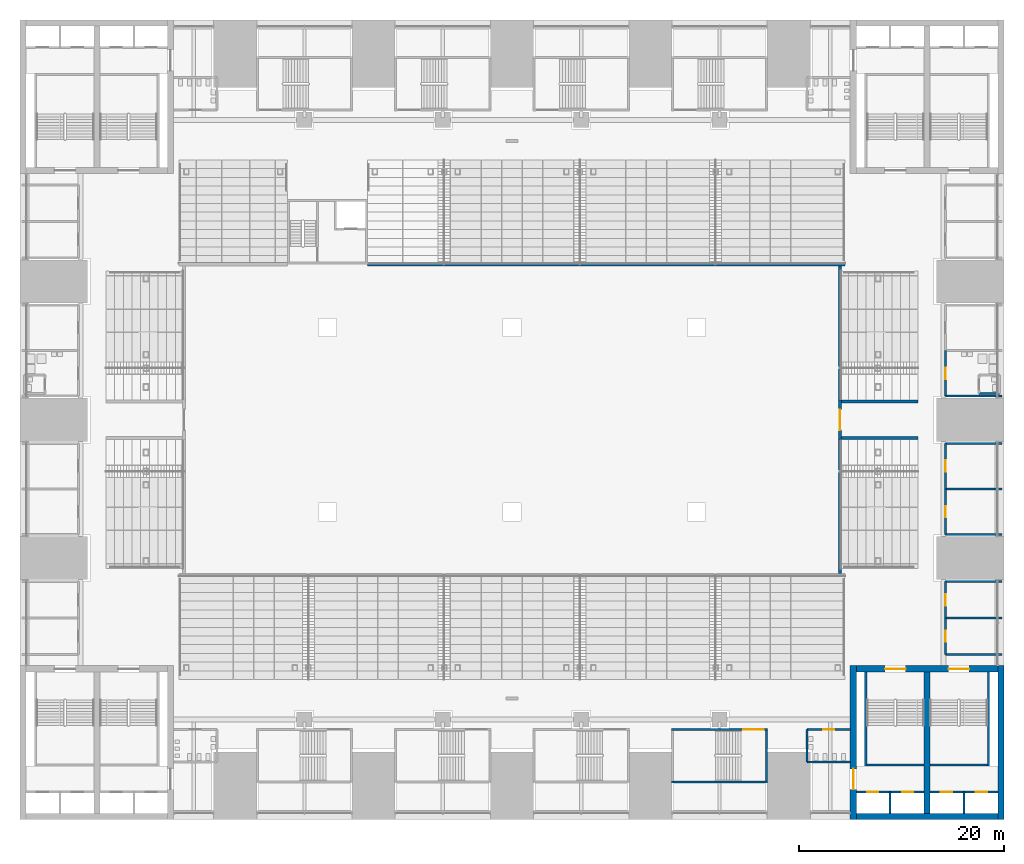
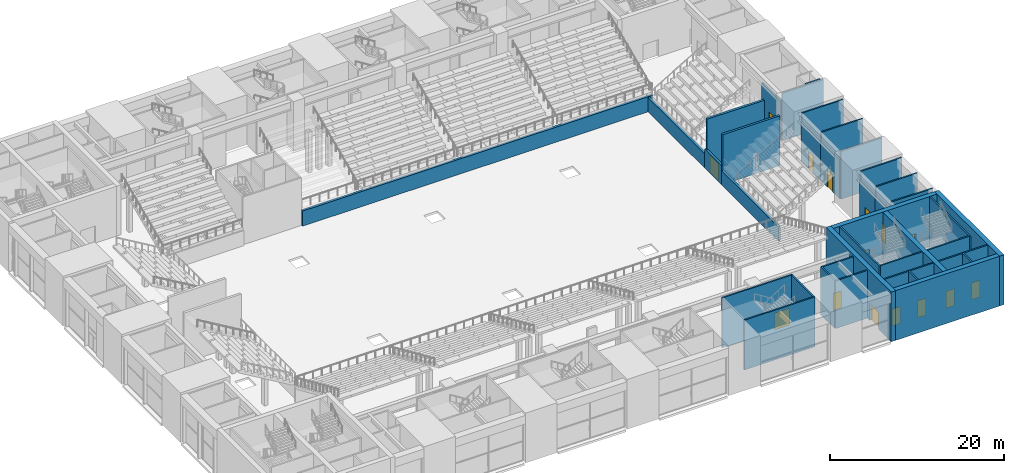
# One storey, part 37 of 62: 38 walls, 15 doors, 15 openings.
"""IFC4 building model written with IfcOpenShell, lengths in metres."""

import ifcopenshell
import ifcopenshell.guid

model = None  # the IFC model being written
_history = None  # IfcOwnerHistory: only IFC2X3 demands one
_inside = {}  # id of a spatial element -> (the spatial element, [elements in it])
_under = {}  # id of a project, library or spatial element -> (it, [spatial elements below it])
_declared = {}  # id of a project -> (the project, [libraries it declares])
_typed = {}  # id of a type object -> (the type object, [elements of that type])
_made_of = {}  # id of a material, layer set ... -> (it, [elements and type objects made of it])


def new_model(schema):
    """Start an empty IFC model of exactly this schema.

    Asked for "IFC4X3", IfcOpenShell would pick the latest addendum, in which some entities
    have other attributes; the version numbers below select the first issue.
    IFC2X3 requires an IfcOwnerHistory on every rooted entity: one is made here for all.
    """
    global model, _history
    if schema == "IFC4X3":
        model = ifcopenshell.file(schema_version=(4, 3, 0, 0))
    else:
        model = ifcopenshell.file(schema=schema)
    _inside.clear()
    _under.clear()
    _declared.clear()
    _typed.clear()
    _made_of.clear()
    _history = None
    if model.schema == "IFC2X3":
        org = make("IfcOrganization", Name="unknown")
        user = make(
            "IfcPersonAndOrganization",
            ThePerson=make("IfcPerson", FamilyName="unknown"),
            TheOrganization=org,
        )
        app = make(
            "IfcApplication",
            ApplicationDeveloper=org,
            Version="unknown",
            ApplicationFullName="unknown",
            ApplicationIdentifier="unknown",
        )
        _history = make(
            "IfcOwnerHistory",
            OwningUser=user,
            OwningApplication=app,
            ChangeAction="ADDED",
            CreationDate=0,
        )
    return model


def make(cls, **values):
    """One entity of the class cls with the attributes given. An attribute that is None is left unset."""
    return model.create_entity(
        cls, **{name: value for name, value in values.items() if value is not None}
    )


def rooted(cls, **values):
    """An entity with a GlobalId (a new one), such as an element, a storey or a relation."""
    return make(cls, GlobalId=ifcopenshell.guid.new(), OwnerHistory=_history, **values)


def si_unit(unit_type, name, prefix=None):
    """IfcSIUnit, for example si_unit("LENGTHUNIT", "METRE", prefix="MILLI")."""
    return make("IfcSIUnit", UnitType=unit_type, Prefix=prefix, Name=name)


def assignment(units):
    """IfcUnitAssignment: the units of a project."""
    return None if units is None else make("IfcUnitAssignment", Units=units)


def point(xyz):
    """IfcCartesianPoint."""
    return None if xyz is None else make("IfcCartesianPoint", Coordinates=xyz)


def direction(xyz):
    """IfcDirection."""
    return None if xyz is None else make("IfcDirection", DirectionRatios=xyz)


def frame(location, z_axis=None, x_axis=None):
    """IfcAxis2Placement3D, a coordinate frame: its origin and axes. An axis left out is left unset."""
    return make(
        "IfcAxis2Placement3D",
        Location=point(location),
        Axis=direction(z_axis),
        RefDirection=direction(x_axis),
    )


def frame_2d(location, x_axis=None):
    """IfcAxis2Placement2D, a coordinate frame in the plane: its origin and x axis."""
    return make(
        "IfcAxis2Placement2D", Location=point(location), RefDirection=direction(x_axis)
    )


def origin():
    """The frame at (0, 0, 0) with its axes left unset."""
    return frame((0.0, 0.0, 0.0))


def place(relative_to, where):
    """IfcLocalPlacement: puts the frame where relative to a parent placement (None: the world)."""
    return make(
        "IfcLocalPlacement", PlacementRelTo=relative_to, RelativePlacement=where
    )


def context(
    kind, dimensions, precision=None, world=None, true_north=None, identifier=None
):
    """IfcGeometricRepresentationContext, for example the 3D "Model" context."""
    return make(
        "IfcGeometricRepresentationContext",
        ContextIdentifier=identifier,
        ContextType=kind,
        CoordinateSpaceDimension=dimensions,
        Precision=precision,
        WorldCoordinateSystem=world,
        TrueNorth=true_north,
    )


def subcontext(parent, identifier, kind, view, scale=None):
    """IfcGeometricRepresentationSubContext, for example "Body" below "Model"."""
    return make(
        "IfcGeometricRepresentationSubContext",
        ContextIdentifier=identifier,
        ContextType=kind,
        ParentContext=parent,
        TargetScale=scale,
        TargetView=view,
    )


def project(units=None, contexts=None):
    """IfcProject with its units and contexts."""
    return rooted(
        "IfcProject",
        Name="project",
        RepresentationContexts=contexts,
        UnitsInContext=assignment(units),
    )


def spatial(cls, under=None, at=None, **own):
    """A site, building, storey or space (cls), placed at a placement, below another one or the project."""
    s = rooted(cls, ObjectPlacement=at, **own)
    if under is not None:
        _under.setdefault(under.id(), (under, []))[1].append(s)
    return s


def profile(cls, at=None, kind="AREA", **sizes):
    """A parametric profile (cls). Its sizes go by their IFC names, for example OverallWidth=200.0."""
    return make(cls, ProfileType=kind, Position=at, **sizes)


def rectangle(**sizes):
    """IfcRectangleProfileDef."""
    return profile("IfcRectangleProfileDef", **sizes)


def extrude(swept, where, along, depth):
    """IfcExtrudedAreaSolid: the profile swept, set in the frame where, extruded along a direction by depth."""
    return make(
        "IfcExtrudedAreaSolid",
        SweptArea=swept,
        Position=where,
        ExtrudedDirection=direction(along),
        Depth=depth,
    )


def shape(context_of_items, identifier, shape_type, items):
    """IfcShapeRepresentation: the items that make up one representation, for example the "Body"."""
    return make(
        "IfcShapeRepresentation",
        ContextOfItems=context_of_items,
        RepresentationIdentifier=identifier,
        RepresentationType=shape_type,
        Items=items,
    )


def material(Name=None, Category=None):
    """IfcMaterial."""
    return make("IfcMaterial", Name=Name, Category=Category)


def layer(
    of_material, thickness, ventilated=None, Name=None, Category=None, Priority=None
):
    """IfcMaterialLayer: one layer of a wall or slab, of a material (None: an air gap)."""
    return make(
        "IfcMaterialLayer",
        Material=of_material,
        LayerThickness=thickness,
        IsVentilated=ventilated,
        Name=Name,
        Category=Category,
        Priority=Priority,
    )


def layer_set(layers, Name=None):
    """IfcMaterialLayerSet."""
    return make("IfcMaterialLayerSet", MaterialLayers=layers, LayerSetName=Name)


def made_of(thing, what):
    """Note that an element or type object is made of a material, layer set ...; save() writes the relation."""
    if what is not None:
        _made_of.setdefault(what.id(), (what, []))[1].append(thing)
    return thing


def type_object(cls, material=None, **own):
    """A type object (cls), such as IfcWallType, which elements share."""
    return made_of(rooted(cls, **own), material)


def element(
    cls,
    number,
    at=None,
    inside=None,
    cuts=None,
    type_object=None,
    material=None,
    context=None,
    identifier="Body",
    shape_type=None,
    held_by="IfcProductDefinitionShape",
    body=None,
    shapes=None,
    **own,
):
    """One element of the class cls, such as IfcWall. Its Tag is "e" and its number.

    at: its placement. inside: the storey or other place that contains it. cuts: it is an
    opening in that element (IfcRelVoidsElement). A single representation is given by context,
    identifier, shape_type and body (its items); several are given by shapes. held_by: the class
    of the entity that holds the representations. save() writes the other relations.
    """
    e = rooted(cls, Tag="e%d" % number, ObjectPlacement=at, **own)
    if body is not None:
        shapes = [shape(context, identifier, shape_type, body)]
    if shapes is not None:
        e.Representation = make(held_by, Representations=shapes)
    if inside is not None:
        _inside.setdefault(inside.id(), (inside, []))[1].append(e)
    if cuts is not None:
        rooted(
            "IfcRelVoidsElement", RelatingBuildingElement=cuts, RelatedOpeningElement=e
        )
    if type_object is not None:
        _typed.setdefault(type_object.id(), (type_object, []))[1].append(e)
    return made_of(e, material)


def fill(opening, filler):
    """IfcRelFillsElement: the door or window that sits in an opening."""
    return rooted(
        "IfcRelFillsElement",
        RelatingOpeningElement=opening,
        RelatedBuildingElement=filler,
    )


def aggregate(whole, parts):
    """IfcRelAggregates: a whole, such as a stair, and the parts it consists of."""
    return rooted("IfcRelAggregates", RelatingObject=whole, RelatedObjects=parts)


def save(model, path):
    """Write the relations noted so far, then the file.

    IfcRelAggregates (storeys below a building ...), IfcRelContainedInSpatialStructure (elements
    in a storey), IfcRelDefinesByType, IfcRelAssociatesMaterial and IfcRelDeclares: one each for
    every whole, place, type object, material and project.
    """
    for whole, parts in _under.values():
        aggregate(whole, parts)
    for where, things in _inside.values():
        rooted(
            "IfcRelContainedInSpatialStructure",
            RelatedElements=things,
            RelatingStructure=where,
        )
    for kind, things in _typed.values():
        rooted("IfcRelDefinesByType", RelatedObjects=things, RelatingType=kind)
    for what, things in _made_of.values():
        rooted("IfcRelAssociatesMaterial", RelatedObjects=things, RelatingMaterial=what)
    for by, libraries in _declared.values():
        rooted("IfcRelDeclares", RelatingContext=by, RelatedDefinitions=libraries)
    model.write(path)


model = new_model("IFC4")

# Units and contexts
model_context = context("Model", 3, precision=1e-05, world=origin(), true_north=direction((0.0, 1.0)))
body_context = subcontext(model_context, "Body", "Model", "MODEL_VIEW")
ifc_project = project(units=[si_unit("LENGTHUNIT", "METRE"), si_unit("AREAUNIT", "SQUARE_METRE"), si_unit("VOLUMEUNIT", "CUBIC_METRE"), si_unit("PLANEANGLEUNIT", "RADIAN"), si_unit("MASSUNIT", "GRAM", prefix="KILO")], contexts=[model_context])

# Site, building, storey
site_placement = place(None, origin())
site = spatial("IfcSite", under=ifc_project, at=site_placement, CompositionType="ELEMENT")
building_placement = place(site_placement, origin())
building = spatial("IfcBuilding", under=site, at=building_placement, Name="Corbelhall Arena Tower", CompositionType="ELEMENT")
storey_placement = place(building_placement, frame((0.0, 0.0, 12.0)))
storey = spatial("IfcBuildingStorey", under=building, at=storey_placement, Name="L01", CompositionType="ELEMENT", Elevation=12.0)

# Walls
ifc_material_1 = material(Name="Reinforced concrete C40/50", Category="concrete")
ifc_layer_1 = layer(ifc_material_1, 0.300048828125)
ifc_layer_set_1 = layer_set([ifc_layer_1], Name="AR-FRONT-WALL")
wall_type_1 = type_object("IfcWallType", Name="AR-FRONT-WALL", PredefinedType="SOLIDWALL", material=ifc_layer_set_1)
wall_1_placement = place(storey_placement, frame((-14.10009765625, 15.14990234375, 0.0), z_axis=(0.0, 0.0, 1.0), x_axis=(1.0, 0.0, 0.0)))
element("IfcWall", 1, at=wall_1_placement, inside=storey, type_object=wall_type_1, Name="Tier front wall LN", PredefinedType="SOLIDWALL", context=body_context, shape_type="SweptSolid", body=[
    extrude(rectangle(XDim=46.60009765625, YDim=0.300048828125, at=frame_2d((23.300048828125, 0.0))), origin(), (0.0, 0.0, 1.0), 2.125),
])
for number, where, z_axis, x_axis, name in (
    (2, (32.0, -15.0, 0.0), (0.0, 0.0, 1.0), (0.0, 1.0, 0.0), "Tier front wall LE"),
    (3, (32.0, 1.949951171875, 0.0), (0.0, 0.0, 1.0), (0.0, 1.0, 0.0), "Tier front wall LE"),
):
    element("IfcWall", number, at=place(storey_placement, frame(where, z_axis=z_axis, x_axis=x_axis)), inside=storey, type_object=wall_type_1, Name=name, PredefinedType="SOLIDWALL", context=body_context, shape_type="SweptSolid", body=[
        extrude(rectangle(XDim=13.050048828125, YDim=0.300048828125, at=frame_2d((6.52490234375, 0.0))), origin(), (0.0, 0.0, 1.0), 2.0),
    ])
for number, where, z_axis, x_axis, name in (
    (4, (32.0, -1.800048828125, 0.0), (0.0, 0.0, 1.0), (1.0, 0.0, 0.0), "Players' tunnel wall LE"),
    (5, (32.0, 1.800048828125, 0.0), (0.0, 0.0, 1.0), (1.0, 0.0, 0.0), "Players' tunnel wall LE"),
):
    element("IfcWall", number, at=place(storey_placement, frame(where, z_axis=z_axis, x_axis=x_axis)), inside=storey, type_object=wall_type_1, Name=name, PredefinedType="SOLIDWALL", context=body_context, shape_type="SweptSolid", body=[
        extrude(rectangle(XDim=7.60498046875, YDim=0.300048828125, at=frame_2d((3.802490234375, 0.0))), origin(), (0.0, 0.0, 1.0), 7.0),
    ])
ifc_material_2 = material(Name="Gypsum board on steel studs", Category="steel")
ifc_layer_2 = layer(ifc_material_2, 0.199951171875)
ifc_layer_set_2 = layer_set([ifc_layer_2], Name="AR-ROOM-WALL")
wall_type_2 = type_object("IfcWallType", Name="AR-ROOM-WALL", PredefinedType="PARTITIONING", material=ifc_layer_set_2)
wall_2_placement = place(storey_placement, frame((42.300048828125, 2.300048828125, 0.0), z_axis=(0.0, 0.0, 1.0), x_axis=(1.0, 0.0, 0.0)))
element("IfcWall", 6, at=wall_2_placement, inside=storey, type_object=wall_type_2, Name="Team locker room 1 end wall", PredefinedType="PARTITIONING", context=body_context, shape_type="SweptSolid", body=[
    extrude(rectangle(XDim=5.5, YDim=0.199951171875, at=frame_2d((2.75, 0.0))), origin(), (0.0, 0.0, 1.0), 6.699951171875),
])
wall_3_placement = place(storey_placement, frame((45.550048828125, 2.550048828125, 0.0), z_axis=(0.0, 0.0, 1.0), x_axis=(1.0, 0.0, 0.0)))
element("IfcWall", 7, at=wall_3_placement, inside=storey, type_object=wall_type_2, Name="Team WC 1 wall", PredefinedType="PARTITIONING", context=body_context, shape_type="SweptSolid", body=[
    extrude(rectangle(XDim=2.0, YDim=0.199951171875, at=frame_2d((1.0, 0.0))), origin(), (0.0, 0.0, 1.0), 6.699951171875),
])
for number, where, z_axis, x_axis, name in (
    (8, (42.300048828125, -11.199951171875, 0.0), (0.0, 0.0, 1.0), (1.0, 0.0, 0.0), "Medical and first-aid room 1 end wall"),
    (9, (42.300048828125, -6.75, 0.0), (0.0, 0.0, 1.0), (1.0, 0.0, 0.0), "Medical and first-aid room 1 partition"),
    (10, (42.300048828125, -2.300048828125, 0.0), (0.0, 0.0, 1.0), (1.0, 0.0, 0.0), "Equipment store 1 end wall"),
    (11, (42.300048828125, -22.89990234375, 0.0), (0.0, 0.0, 1.0), (1.0, 0.0, 0.0), "Media interview room 1 end wall"),
    (12, (42.300048828125, -19.35009765625, 0.0), (0.0, 0.0, 1.0), (1.0, 0.0, 0.0), "Media interview room 1 partition"),
    (13, (42.300048828125, -15.800048828125, 0.0), (0.0, 0.0, 1.0), (1.0, 0.0, 0.0), "Catering preparation kitchen 1 end wall"),
):
    element("IfcWall", number, at=place(storey_placement, frame(where, z_axis=z_axis, x_axis=x_axis)), inside=storey, type_object=wall_type_2, Name=name, PredefinedType="PARTITIONING", context=body_context, shape_type="SweptSolid", body=[
        extrude(rectangle(XDim=5.5, YDim=0.199951171875, at=frame_2d((2.75, 0.0))), origin(), (0.0, 0.0, 1.0), 6.699951171875),
    ])

# Wall, opening, door
wall_4_placement = place(storey_placement, frame((28.800048828125, -30.199951171875, 0.0), z_axis=(0.0, 0.0, 1.0), x_axis=(1.0, 0.0, 0.0)))
wall_4 = element("IfcWall", 14, at=wall_4_placement, inside=storey, type_object=wall_type_2, Name="Women's WC 3 wall", PredefinedType="PARTITIONING", context=body_context, shape_type="SweptSolid", body=[
    extrude(rectangle(XDim=4.199951171875, YDim=0.199951171875, at=frame_2d((2.10009765625, 0.0))), origin(), (0.0, 0.0, 1.0), 6.699951171875),
])
opening_1_placement = place(wall_4_placement, frame((1.550048828125, 0.0, 0.0)))
opening_1 = element("IfcOpeningElement", 15, at=opening_1_placement, cuts=wall_4, Name="Opening DA0361", PredefinedType="OPENING", context=body_context, shape_type="SweptSolid", body=[
    extrude(rectangle(XDim=1.10009765625, YDim=2.39990234375, at=frame_2d((0.550048828125, 1.199951171875))), frame((0.0, 0.10009765625, 0.0), z_axis=(0.0, -1.0, 0.0), x_axis=(1.0, 0.0, 0.0)), (0.0, 0.0, 1.0), 0.199951171875),
])
ifc_material_3 = material(Name="Timber", Category="wood")
door_type_1 = type_object("IfcDoorType", Name="AR-ROOM-DOOR", OperationType="DOUBLE_DOOR_SINGLE_SWING", PredefinedType="DOOR", material=ifc_material_3)
door_1_placement = place(opening_1_placement, origin())
door_1 = element("IfcDoor", 16, at=door_1_placement, inside=storey, type_object=door_type_1, Name="Women's WC 3 door", OperationType="DOUBLE_DOOR_SINGLE_SWING", OverallHeight=2.39990234375, OverallWidth=1.10009765625, PredefinedType="DOOR", context=body_context, shape_type="SweptSolid", body=[
    extrude(rectangle(XDim=1.10009765625, YDim=2.39990234375, at=frame_2d((0.550048828125, 1.199951171875))), frame((0.0, 0.02490234375, 0.0), z_axis=(0.0, -1.0, 0.0), x_axis=(1.0, 0.0, 0.0)), (0.0, 0.0, 1.0), 0.050048828125),
])
fill(opening_1, door_1)

# Walls
wall_5_placement = place(storey_placement, frame((28.800048828125, -33.39990234375, 0.0), z_axis=(0.0, 0.0, 1.0), x_axis=(0.0, 1.0, 0.0)))
element("IfcWall", 17, at=wall_5_placement, inside=storey, type_object=wall_type_2, Name="Women's WC 3 side wall", PredefinedType="PARTITIONING", context=body_context, shape_type="SweptSolid", body=[
    extrude(rectangle(XDim=3.199951171875, YDim=0.199951171875, at=frame_2d((1.60009765625, 0.0))), origin(), (0.0, 0.0, 1.0), 6.699951171875),
])
wall_6_placement = place(storey_placement, frame((28.800048828125, -33.39990234375, 0.0), z_axis=(0.0, 0.0, 1.0), x_axis=(1.0, 0.0, 0.0)))
element("IfcWall", 18, at=wall_6_placement, inside=storey, type_object=wall_type_2, Name="Women's WC 3 far wall", PredefinedType="PARTITIONING", context=body_context, shape_type="SweptSolid", body=[
    extrude(rectangle(XDim=4.199951171875, YDim=0.199951171875, at=frame_2d((2.10009765625, 0.0))), origin(), (0.0, 0.0, 1.0), 6.699951171875),
])

# Wall, opening, door
wall_7_placement = place(storey_placement, frame((32.0, -1.949951171875, 0.0), z_axis=(0.0, 0.0, 1.0), x_axis=(0.0, 1.0, 0.0)))
wall_7 = element("IfcWall", 19, at=wall_7_placement, inside=storey, type_object=wall_type_2, Name="Players' tunnel gate wall", PredefinedType="PARTITIONING", context=body_context, shape_type="SweptSolid", body=[
    extrude(rectangle(XDim=3.89990234375, YDim=0.300048828125, at=frame_2d((1.949951171875, 0.0))), origin(), (0.0, 0.0, 1.0), 2.699951171875),
])
opening_2_placement = place(wall_7_placement, frame((0.949951171875, 0.0, 0.0)))
opening_2 = element("IfcOpeningElement", 20, at=opening_2_placement, cuts=wall_7, Name="Opening DA0483", PredefinedType="OPENING", context=body_context, shape_type="SweptSolid", body=[
    extrude(rectangle(XDim=2.0, YDim=2.39990234375, at=frame_2d((1.0, 1.199951171875))), frame((0.0, 0.14990234375, 0.0), z_axis=(0.0, -1.0, 0.0), x_axis=(1.0, 0.0, 0.0)), (0.0, 0.0, 1.0), 0.300048828125),
])
ifc_material_4 = material(Name="Steel and glass", Category="steel")
door_type_2 = type_object("IfcDoorType", Name="AR-EXIT-DOOR", OperationType="DOUBLE_DOOR_SINGLE_SWING", PredefinedType="DOOR", material=ifc_material_4)
door_2_placement = place(opening_2_placement, frame((2.0, 0.0, 0.0), z_axis=(0.0, 0.0, 1.0), x_axis=(-1.0, 0.0, 0.0)))
door_2 = element("IfcDoor", 21, at=door_2_placement, inside=storey, type_object=door_type_2, Name="Event floor gate", OperationType="DOUBLE_DOOR_SINGLE_SWING", OverallHeight=2.39990234375, OverallWidth=2.0, PredefinedType="DOOR", context=body_context, shape_type="SweptSolid", body=[
    extrude(rectangle(XDim=2.0, YDim=2.39990234375, at=frame_2d((1.0, 1.199951171875))), frame((0.0, 0.02490234375, 0.0), z_axis=(0.0, -1.0, 0.0), x_axis=(1.0, 0.0, 0.0)), (0.0, 0.0, 1.0), 0.050048828125),
])
fill(opening_2, door_2)

ifc_layer_3 = layer(ifc_material_2, 0.199951171875)
ifc_layer_set_3 = layer_set([ifc_layer_3], Name="AR-ROOM-WALL under beam 1200 mm")
wall_type_3 = type_object("IfcWallType", Name="AR-ROOM-WALL under beam 1200 mm", PredefinedType="PARTITIONING", material=ifc_layer_set_3)
wall_8_placement = place(storey_placement, frame((42.300048828125, 2.300048828125, 0.0), z_axis=(0.0, 0.0, 1.0), x_axis=(0.0, 1.0, 0.0)))
wall_8 = element("IfcWall", 22, at=wall_8_placement, inside=storey, type_object=wall_type_3, Name="Team locker room 1 wall", PredefinedType="PARTITIONING", context=body_context, shape_type="SweptSolid", body=[
    extrude(rectangle(XDim=4.449951171875, YDim=0.199951171875, at=frame_2d((2.22509765625, 0.0))), origin(), (0.0, 0.0, 1.0), 5.5),
])
opening_3_placement = place(wall_8_placement, frame((1.675048828125, 0.0, 0.0)))
opening_3 = element("IfcOpeningElement", 23, at=opening_3_placement, cuts=wall_8, Name="Opening DA0341", PredefinedType="OPENING", context=body_context, shape_type="SweptSolid", body=[
    extrude(rectangle(XDim=1.10009765625, YDim=2.39990234375, at=frame_2d((0.550048828125, 1.199951171875))), frame((0.0, 0.10009765625, 0.0), z_axis=(0.0, -1.0, 0.0), x_axis=(1.0, 0.0, 0.0)), (0.0, 0.0, 1.0), 0.199951171875),
])
door_3_placement = place(opening_3_placement, origin())
door_3 = element("IfcDoor", 24, at=door_3_placement, inside=storey, type_object=door_type_1, Name="Team locker room 1 door", OperationType="DOUBLE_DOOR_SINGLE_SWING", OverallHeight=2.39990234375, OverallWidth=1.10009765625, PredefinedType="DOOR", context=body_context, shape_type="SweptSolid", body=[
    extrude(rectangle(XDim=1.10009765625, YDim=2.39990234375, at=frame_2d((0.550048828125, 1.199951171875))), frame((0.0, 0.02490234375, 0.0), z_axis=(0.0, -1.0, 0.0), x_axis=(1.0, 0.0, 0.0)), (0.0, 0.0, 1.0), 0.050048828125),
])
fill(opening_3, door_3)

wall_9_placement = place(storey_placement, frame((42.300048828125, -11.199951171875, 0.0), z_axis=(0.0, 0.0, 1.0), x_axis=(0.0, 1.0, 0.0)))
wall_9 = element("IfcWall", 25, at=wall_9_placement, inside=storey, type_object=wall_type_3, Name="Medical and first-aid room 1 wall", PredefinedType="PARTITIONING", context=body_context, shape_type="SweptSolid", body=[
    extrude(rectangle(XDim=4.449951171875, YDim=0.199951171875, at=frame_2d((2.22509765625, 0.0))), origin(), (0.0, 0.0, 1.0), 5.5),
])
opening_4_placement = place(wall_9_placement, frame((1.675048828125, 0.0, 0.0)))
opening_4 = element("IfcOpeningElement", 26, at=opening_4_placement, cuts=wall_9, Name="Opening DA0344", PredefinedType="OPENING", context=body_context, shape_type="SweptSolid", body=[
    extrude(rectangle(XDim=1.10009765625, YDim=2.39990234375, at=frame_2d((0.550048828125, 1.199951171875))), frame((0.0, 0.10009765625, 0.0), z_axis=(0.0, -1.0, 0.0), x_axis=(1.0, 0.0, 0.0)), (0.0, 0.0, 1.0), 0.199951171875),
])
door_4_placement = place(opening_4_placement, origin())
door_4 = element("IfcDoor", 27, at=door_4_placement, inside=storey, type_object=door_type_1, Name="Medical and first-aid room 1 door", OperationType="DOUBLE_DOOR_SINGLE_SWING", OverallHeight=2.39990234375, OverallWidth=1.10009765625, PredefinedType="DOOR", context=body_context, shape_type="SweptSolid", body=[
    extrude(rectangle(XDim=1.10009765625, YDim=2.39990234375, at=frame_2d((0.550048828125, 1.199951171875))), frame((0.0, 0.02490234375, 0.0), z_axis=(0.0, -1.0, 0.0), x_axis=(1.0, 0.0, 0.0)), (0.0, 0.0, 1.0), 0.050048828125),
])
fill(opening_4, door_4)

wall_10_placement = place(storey_placement, frame((42.300048828125, -6.75, 0.0), z_axis=(0.0, 0.0, 1.0), x_axis=(0.0, 1.0, 0.0)))
wall_10 = element("IfcWall", 28, at=wall_10_placement, inside=storey, type_object=wall_type_3, Name="Equipment store 1 wall", PredefinedType="PARTITIONING", context=body_context, shape_type="SweptSolid", body=[
    extrude(rectangle(XDim=4.449951171875, YDim=0.199951171875, at=frame_2d((2.22509765625, 0.0))), origin(), (0.0, 0.0, 1.0), 5.5),
])
opening_5_placement = place(wall_10_placement, frame((1.675048828125, 0.0, 0.0)))
opening_5 = element("IfcOpeningElement", 29, at=opening_5_placement, cuts=wall_10, Name="Opening DA0345", PredefinedType="OPENING", context=body_context, shape_type="SweptSolid", body=[
    extrude(rectangle(XDim=1.10009765625, YDim=2.39990234375, at=frame_2d((0.550048828125, 1.199951171875))), frame((0.0, 0.10009765625, 0.0), z_axis=(0.0, -1.0, 0.0), x_axis=(1.0, 0.0, 0.0)), (0.0, 0.0, 1.0), 0.199951171875),
])
door_5_placement = place(opening_5_placement, origin())
door_5 = element("IfcDoor", 30, at=door_5_placement, inside=storey, type_object=door_type_1, Name="Equipment store 1 door", OperationType="DOUBLE_DOOR_SINGLE_SWING", OverallHeight=2.39990234375, OverallWidth=1.10009765625, PredefinedType="DOOR", context=body_context, shape_type="SweptSolid", body=[
    extrude(rectangle(XDim=1.10009765625, YDim=2.39990234375, at=frame_2d((0.550048828125, 1.199951171875))), frame((0.0, 0.02490234375, 0.0), z_axis=(0.0, -1.0, 0.0), x_axis=(1.0, 0.0, 0.0)), (0.0, 0.0, 1.0), 0.050048828125),
])
fill(opening_5, door_5)

wall_11_placement = place(storey_placement, frame((42.300048828125, -22.89990234375, 0.0), z_axis=(0.0, 0.0, 1.0), x_axis=(0.0, 1.0, 0.0)))
wall_11 = element("IfcWall", 31, at=wall_11_placement, inside=storey, type_object=wall_type_3, Name="Media interview room 1 wall", PredefinedType="PARTITIONING", context=body_context, shape_type="SweptSolid", body=[
    extrude(rectangle(XDim=3.5498046875, YDim=0.199951171875, at=frame_2d((1.77490234375, 0.0))), origin(), (0.0, 0.0, 1.0), 5.5),
])
opening_6_placement = place(wall_11_placement, frame((1.22509765625, 0.0, 0.0)))
opening_6 = element("IfcOpeningElement", 32, at=opening_6_placement, cuts=wall_11, Name="Opening DA0348", PredefinedType="OPENING", context=body_context, shape_type="SweptSolid", body=[
    extrude(rectangle(XDim=1.10009765625, YDim=2.39990234375, at=frame_2d((0.550048828125, 1.199951171875))), frame((0.0, 0.10009765625, 0.0), z_axis=(0.0, -1.0, 0.0), x_axis=(1.0, 0.0, 0.0)), (0.0, 0.0, 1.0), 0.199951171875),
])
door_6_placement = place(opening_6_placement, origin())
door_6 = element("IfcDoor", 33, at=door_6_placement, inside=storey, type_object=door_type_1, Name="Media interview room 1 door", OperationType="DOUBLE_DOOR_SINGLE_SWING", OverallHeight=2.39990234375, OverallWidth=1.10009765625, PredefinedType="DOOR", context=body_context, shape_type="SweptSolid", body=[
    extrude(rectangle(XDim=1.10009765625, YDim=2.39990234375, at=frame_2d((0.550048828125, 1.199951171875))), frame((0.0, 0.02490234375, 0.0), z_axis=(0.0, -1.0, 0.0), x_axis=(1.0, 0.0, 0.0)), (0.0, 0.0, 1.0), 0.050048828125),
])
fill(opening_6, door_6)

wall_12_placement = place(storey_placement, frame((42.300048828125, -19.35009765625, 0.0), z_axis=(0.0, 0.0, 1.0), x_axis=(0.0, 1.0, 0.0)))
wall_12 = element("IfcWall", 34, at=wall_12_placement, inside=storey, type_object=wall_type_3, Name="Catering preparation kitchen 1 wall", PredefinedType="PARTITIONING", context=body_context, shape_type="SweptSolid", body=[
    extrude(rectangle(XDim=3.550048828125, YDim=0.199951171875, at=frame_2d((1.77490234375, 0.0))), origin(), (0.0, 0.0, 1.0), 5.5),
])
opening_7_placement = place(wall_12_placement, frame((1.22509765625, 0.0, 0.0)))
opening_7 = element("IfcOpeningElement", 35, at=opening_7_placement, cuts=wall_12, Name="Opening DA0349", PredefinedType="OPENING", context=body_context, shape_type="SweptSolid", body=[
    extrude(rectangle(XDim=1.10009765625, YDim=2.39990234375, at=frame_2d((0.550048828125, 1.199951171875))), frame((0.0, 0.10009765625, 0.0), z_axis=(0.0, -1.0, 0.0), x_axis=(1.0, 0.0, 0.0)), (0.0, 0.0, 1.0), 0.199951171875),
])
door_7_placement = place(opening_7_placement, origin())
door_7 = element("IfcDoor", 36, at=door_7_placement, inside=storey, type_object=door_type_1, Name="Catering preparation kitchen 1 door", OperationType="DOUBLE_DOOR_SINGLE_SWING", OverallHeight=2.39990234375, OverallWidth=1.10009765625, PredefinedType="DOOR", context=body_context, shape_type="SweptSolid", body=[
    extrude(rectangle(XDim=1.10009765625, YDim=2.39990234375, at=frame_2d((0.550048828125, 1.199951171875))), frame((0.0, 0.02490234375, 0.0), z_axis=(0.0, -1.0, 0.0), x_axis=(1.0, 0.0, 0.0)), (0.0, 0.0, 1.0), 0.050048828125),
])
fill(opening_7, door_7)

# Wall, openings, doors
ifc_layer_4 = layer(ifc_material_1, 0.199951171875)
ifc_layer_set_4 = layer_set([ifc_layer_4], Name="AR-SHAFT-WALL")
wall_type_4 = type_object("IfcWallType", Name="AR-SHAFT-WALL", PredefinedType="SHEAR", material=ifc_layer_set_4)
wall_13_placement = place(storey_placement, frame((33.60009765625, -36.300048828125, 0.0), z_axis=(0.0, 0.0, 1.0), x_axis=(1.0, 0.0, 0.0)))
wall_13 = element("IfcWall", 37, at=wall_13_placement, inside=storey, type_object=wall_type_4, Name="Lift lobby wall SE", PredefinedType="SHEAR", context=body_context, shape_type="SweptSolid", body=[
    extrude(rectangle(XDim=6.599853515625, YDim=0.199951171875, at=frame_2d((3.2998046875, 0.0))), origin(), (0.0, 0.0, 1.0), 7.0),
])
opening_8_placement = place(wall_13_placement, frame((1.050048828125, 0.0, 0.0)))
opening_8 = element("IfcOpeningElement", 38, at=opening_8_placement, cuts=wall_13, Name="Opening LD0210", PredefinedType="OPENING", context=body_context, shape_type="SweptSolid", body=[
    extrude(rectangle(XDim=1.10009765625, YDim=2.39990234375, at=frame_2d((0.550048828125, 1.199951171875))), frame((0.0, 0.10009765625, 0.0), z_axis=(0.0, -1.0, 0.0), x_axis=(1.0, 0.0, 0.0)), (0.0, 0.0, 1.0), 0.199951171875),
])
opening_9_placement = place(wall_13_placement, frame((4.449951171875, 0.0, 0.0)))
opening_9 = element("IfcOpeningElement", 39, at=opening_9_placement, cuts=wall_13, Name="Opening LD0211", PredefinedType="OPENING", context=body_context, shape_type="SweptSolid", body=[
    extrude(rectangle(XDim=1.10009765625, YDim=2.39990234375, at=frame_2d((0.550048828125, 1.199951171875))), frame((0.0, 0.10009765625, 0.0), z_axis=(0.0, -1.0, 0.0), x_axis=(1.0, 0.0, 0.0)), (0.0, 0.0, 1.0), 0.199951171875),
])
ifc_material_5 = material(Name="Stainless steel A4", Category="steel")
door_type_3 = type_object("IfcDoorType", Name="AR-LANDING-DOOR", OperationType="DOUBLE_DOOR_SLIDING", PredefinedType="DOOR", material=ifc_material_5)
door_8_placement = place(opening_8_placement, frame((1.10009765625, 0.0, 0.0), z_axis=(0.0, 0.0, 1.0), x_axis=(-1.0, 0.0, 0.0)))
door_8 = element("IfcDoor", 40, at=door_8_placement, inside=storey, type_object=door_type_3, Name="Landing door SE LF1 L01", OperationType="DOUBLE_DOOR_SLIDING", OverallHeight=2.39990234375, OverallWidth=1.10009765625, PredefinedType="DOOR", context=body_context, shape_type="SweptSolid", body=[
    extrude(rectangle(XDim=1.10009765625, YDim=2.39990234375, at=frame_2d((0.550048828125, 1.199951171875))), frame((0.0, 0.02490234375, 0.0), z_axis=(0.0, -1.0, 0.0), x_axis=(1.0, 0.0, 0.0)), (0.0, 0.0, 1.0), 0.050048828125),
])
fill(opening_8, door_8)
door_9_placement = place(opening_9_placement, frame((1.10009765625, 0.0, 0.0), z_axis=(0.0, 0.0, 1.0), x_axis=(-1.0, 0.0, 0.0)))
door_9 = element("IfcDoor", 41, at=door_9_placement, inside=storey, type_object=door_type_3, Name="Landing door SE LF2 L01", OperationType="DOUBLE_DOOR_SLIDING", OverallHeight=2.39990234375, OverallWidth=1.10009765625, PredefinedType="DOOR", context=body_context, shape_type="SweptSolid", body=[
    extrude(rectangle(XDim=1.10009765625, YDim=2.39990234375, at=frame_2d((0.550048828125, 1.199951171875))), frame((0.0, 0.02490234375, 0.0), z_axis=(0.0, -1.0, 0.0), x_axis=(1.0, 0.0, 0.0)), (0.0, 0.0, 1.0), 0.050048828125),
])
fill(opening_9, door_9)

wall_14_placement = place(storey_placement, frame((40.800048828125, -36.300048828125, 0.0), z_axis=(0.0, 0.0, 1.0), x_axis=(1.0, 0.0, 0.0)))
wall_14 = element("IfcWall", 42, at=wall_14_placement, inside=storey, type_object=wall_type_4, Name="Lift lobby wall SE", PredefinedType="SHEAR", context=body_context, shape_type="SweptSolid", body=[
    extrude(rectangle(XDim=6.599853515625, YDim=0.199951171875, at=frame_2d((3.2998046875, 0.0))), origin(), (0.0, 0.0, 1.0), 7.0),
])
opening_10_placement = place(wall_14_placement, frame((1.050048828125, 0.0, 0.0)))
opening_10 = element("IfcOpeningElement", 43, at=opening_10_placement, cuts=wall_14, Name="Opening LD0212", PredefinedType="OPENING", context=body_context, shape_type="SweptSolid", body=[
    extrude(rectangle(XDim=1.10009765625, YDim=2.39990234375, at=frame_2d((0.550048828125, 1.199951171875))), frame((0.0, 0.10009765625, 0.0), z_axis=(0.0, -1.0, 0.0), x_axis=(1.0, 0.0, 0.0)), (0.0, 0.0, 1.0), 0.199951171875),
])
opening_11_placement = place(wall_14_placement, frame((4.449951171875, 0.0, 0.0)))
opening_11 = element("IfcOpeningElement", 44, at=opening_11_placement, cuts=wall_14, Name="Opening LD0213", PredefinedType="OPENING", context=body_context, shape_type="SweptSolid", body=[
    extrude(rectangle(XDim=1.10009765625, YDim=2.39990234375, at=frame_2d((0.550048828125, 1.199951171875))), frame((0.0, 0.10009765625, 0.0), z_axis=(0.0, -1.0, 0.0), x_axis=(1.0, 0.0, 0.0)), (0.0, 0.0, 1.0), 0.199951171875),
])
door_10_placement = place(opening_10_placement, frame((1.10009765625, 0.0, 0.0), z_axis=(0.0, 0.0, 1.0), x_axis=(-1.0, 0.0, 0.0)))
door_10 = element("IfcDoor", 45, at=door_10_placement, inside=storey, type_object=door_type_3, Name="Landing door SE LF3 L01", OperationType="DOUBLE_DOOR_SLIDING", OverallHeight=2.39990234375, OverallWidth=1.10009765625, PredefinedType="DOOR", context=body_context, shape_type="SweptSolid", body=[
    extrude(rectangle(XDim=1.10009765625, YDim=2.39990234375, at=frame_2d((0.550048828125, 1.199951171875))), frame((0.0, 0.02490234375, 0.0), z_axis=(0.0, -1.0, 0.0), x_axis=(1.0, 0.0, 0.0)), (0.0, 0.0, 1.0), 0.050048828125),
])
fill(opening_10, door_10)
door_11_placement = place(opening_11_placement, frame((1.10009765625, 0.0, 0.0), z_axis=(0.0, 0.0, 1.0), x_axis=(-1.0, 0.0, 0.0)))
door_11 = element("IfcDoor", 46, at=door_11_placement, inside=storey, type_object=door_type_3, Name="Landing door SE LF4 L01", OperationType="DOUBLE_DOOR_SLIDING", OverallHeight=2.39990234375, OverallWidth=1.10009765625, PredefinedType="DOOR", context=body_context, shape_type="SweptSolid", body=[
    extrude(rectangle(XDim=1.10009765625, YDim=2.39990234375, at=frame_2d((0.550048828125, 1.199951171875))), frame((0.0, 0.02490234375, 0.0), z_axis=(0.0, -1.0, 0.0), x_axis=(1.0, 0.0, 0.0)), (0.0, 0.0, 1.0), 0.050048828125),
])
fill(opening_11, door_11)

# Walls
for number, where, z_axis, x_axis, name in (
    (47, (36.89990234375, -38.39990234375, 0.0), (0.0, 0.0, 1.0), (0.0, 1.0, 0.0), "Shaft wall SE"),
    (48, (44.10009765625, -38.39990234375, 0.0), (0.0, 0.0, 1.0), (0.0, 1.0, 0.0), "Shaft wall SE"),
):
    element("IfcWall", number, at=place(storey_placement, frame(where, z_axis=z_axis, x_axis=x_axis)), inside=storey, type_object=wall_type_4, Name=name, PredefinedType="SHEAR", context=body_context, shape_type="SweptSolid", body=[
        extrude(rectangle(XDim=2.099853515625, YDim=0.199951171875, at=frame_2d((1.0498046875, 0.0))), origin(), (0.0, 0.0, 1.0), 7.0),
    ])

# Wall, opening, door
ifc_layer_5 = layer(ifc_material_1, 0.199951171875)
ifc_layer_set_5 = layer_set([ifc_layer_5], Name="AR-STAIR-WALL")
wall_type_5 = type_object("IfcWallType", Name="AR-STAIR-WALL", PredefinedType="SOLIDWALL", material=ifc_layer_set_5)
wall_15_placement = place(storey_placement, frame((24.949951171875, -30.199951171875, 0.0), z_axis=(0.0, 0.0, 1.0), x_axis=(-1.0, 0.0, 0.0)))
wall_15 = element("IfcWall", 49, at=wall_15_placement, inside=storey, type_object=wall_type_5, Name="Stair AS16 wall", PredefinedType="SOLIDWALL", context=body_context, shape_type="SweptSolid", body=[
    extrude(rectangle(XDim=9.39990234375, YDim=0.199951171875, at=frame_2d((4.699951171875, 0.0))), origin(), (0.0, 0.0, 1.0), 7.0),
])
opening_12_placement = place(wall_15_placement, frame((0.39990234375, 0.0, 0.0)))
opening_12 = element("IfcOpeningElement", 50, at=opening_12_placement, cuts=wall_15, Name="Opening DA0044", PredefinedType="OPENING", context=body_context, shape_type="SweptSolid", body=[
    extrude(rectangle(XDim=2.0, YDim=2.39990234375, at=frame_2d((1.0, 1.199951171875))), frame((0.0, 0.10009765625, 0.0), z_axis=(0.0, -1.0, 0.0), x_axis=(1.0, 0.0, 0.0)), (0.0, 0.0, 1.0), 0.199951171875),
])
door_type_4 = type_object("IfcDoorType", Name="AR-STAIR-DOOR", OperationType="DOUBLE_DOOR_SINGLE_SWING", PredefinedType="DOOR", material=ifc_material_4)
door_12_placement = place(opening_12_placement, origin())
door_12 = element("IfcDoor", 51, at=door_12_placement, inside=storey, type_object=door_type_4, Name="Stair AS16 door", OperationType="DOUBLE_DOOR_SINGLE_SWING", OverallHeight=2.39990234375, OverallWidth=2.0, PredefinedType="DOOR", context=body_context, shape_type="SweptSolid", body=[
    extrude(rectangle(XDim=2.0, YDim=2.39990234375, at=frame_2d((1.0, 1.199951171875))), frame((0.0, 0.02490234375, 0.0), z_axis=(0.0, -1.0, 0.0), x_axis=(1.0, 0.0, 0.0)), (0.0, 0.0, 1.0), 0.050048828125),
])
fill(opening_12, door_12)

# Walls
wall_16_placement = place(storey_placement, frame((15.550048828125, -35.35009765625, 0.0), z_axis=(0.0, 0.0, 1.0), x_axis=(1.0, 0.0, 0.0)))
element("IfcWall", 52, at=wall_16_placement, inside=storey, type_object=wall_type_5, Name="Stair AS16 wall", PredefinedType="SOLIDWALL", context=body_context, shape_type="SweptSolid", body=[
    extrude(rectangle(XDim=9.39990234375, YDim=0.199951171875, at=frame_2d((4.699951171875, 0.0))), origin(), (0.0, 0.0, 1.0), 7.0),
])
wall_17_placement = place(storey_placement, frame((24.85009765625, -35.25, 0.0), z_axis=(0.0, 0.0, 1.0), x_axis=(0.0, 1.0, 0.0)))
element("IfcWall", 53, at=wall_17_placement, inside=storey, type_object=wall_type_5, Name="Stair AS16 wall", PredefinedType="SOLIDWALL", context=body_context, shape_type="SweptSolid", body=[
    extrude(rectangle(XDim=4.949951171875, YDim=0.199951171875, at=frame_2d((2.47509765625, 0.0))), origin(), (0.0, 0.0, 1.0), 7.0),
])
wall_18_placement = place(storey_placement, frame((34.510009765625, -33.800048828125, 0.0), z_axis=(0.0, 0.0, 1.0), x_axis=(0.0, 1.0, 0.0)))
element("IfcWall", 54, at=wall_18_placement, inside=storey, type_object=wall_type_5, Name="Stair AS5 wall", PredefinedType="SOLIDWALL", context=body_context, shape_type="SweptSolid", body=[
    extrude(rectangle(XDim=9.199951171875, YDim=0.199951171875, at=frame_2d((4.60009765625, 0.0))), origin(), (0.0, 0.0, 1.0), 7.0),
])
wall_19_placement = place(storey_placement, frame((34.610107421875, -33.699951171875, 0.0), z_axis=(0.0, 0.0, 1.0), x_axis=(1.0, 0.0, 0.0)))
element("IfcWall", 55, at=wall_19_placement, inside=storey, type_object=wall_type_5, Name="Stair AS5 wall", PredefinedType="SOLIDWALL", context=body_context, shape_type="SweptSolid", body=[
    extrude(rectangle(XDim=5.58984375, YDim=0.199951171875, at=frame_2d((2.794921875, 0.0))), origin(), (0.0, 0.0, 1.0), 7.0),
])
wall_20_placement = place(storey_placement, frame((46.489990234375, -33.800048828125, 0.0), z_axis=(0.0, 0.0, 1.0), x_axis=(0.0, 1.0, 0.0)))
element("IfcWall", 56, at=wall_20_placement, inside=storey, type_object=wall_type_5, Name="Stair AS6 wall", PredefinedType="SOLIDWALL", context=body_context, shape_type="SweptSolid", body=[
    extrude(rectangle(XDim=9.199951171875, YDim=0.199951171875, at=frame_2d((4.60009765625, 0.0))), origin(), (0.0, 0.0, 1.0), 7.0),
])
wall_21_placement = place(storey_placement, frame((40.800048828125, -33.699951171875, 0.0), z_axis=(0.0, 0.0, 1.0), x_axis=(1.0, 0.0, 0.0)))
element("IfcWall", 57, at=wall_21_placement, inside=storey, type_object=wall_type_5, Name="Stair AS6 wall", PredefinedType="SOLIDWALL", context=body_context, shape_type="SweptSolid", body=[
    extrude(rectangle(XDim=5.58984375, YDim=0.199951171875, at=frame_2d((2.794921875, 0.0))), origin(), (0.0, 0.0, 1.0), 7.0),
])

# Wall, openings, doors
ifc_material_6 = material(Name="Concrete C80/95", Category="concrete")
ifc_layer_6 = layer(ifc_material_6, 0.60009765625)
ifc_layer_set_6 = layer_set([ifc_layer_6], Name="PO-CORE-WALL")
wall_type_6 = type_object("IfcWallType", Name="PO-CORE-WALL", PredefinedType="SHEAR", material=ifc_layer_set_6)
wall_22_placement = place(storey_placement, frame((33.60009765625, -24.300048828125, 0.0), z_axis=(0.0, 0.0, 1.0), x_axis=(1.0, 0.0, 0.0)))
wall_22 = element("IfcWall", 58, at=wall_22_placement, inside=storey, type_object=wall_type_6, Name="CORE SE WALL N L01", PredefinedType="SHEAR", context=body_context, shape_type="SweptSolid", body=[
    extrude(rectangle(XDim=13.7998046875, YDim=0.60009765625, at=frame_2d((6.89990234375, 0.0))), origin(), (0.0, 0.0, 1.0), 7.0),
])
opening_13_placement = place(wall_22_placement, frame((2.804931640625, 0.0, 0.0)))
opening_13 = element("IfcOpeningElement", 59, at=opening_13_placement, cuts=wall_22, Name="Opening DA0086", PredefinedType="OPENING", context=body_context, shape_type="SweptSolid", body=[
    extrude(rectangle(XDim=2.0, YDim=2.39990234375, at=frame_2d((1.0, 1.199951171875))), frame((0.0, 0.300048828125, 0.0), z_axis=(0.0, -1.0, 0.0), x_axis=(1.0, 0.0, 0.0)), (0.0, 0.0, 1.0), 0.60009765625),
])
opening_14_placement = place(wall_22_placement, frame((8.9951171875, 0.0, 0.0)))
opening_14 = element("IfcOpeningElement", 60, at=opening_14_placement, cuts=wall_22, Name="Opening DA0094", PredefinedType="OPENING", context=body_context, shape_type="SweptSolid", body=[
    extrude(rectangle(XDim=2.0, YDim=2.39990234375, at=frame_2d((1.0, 1.199951171875))), frame((0.0, 0.300048828125, 0.0), z_axis=(0.0, -1.0, 0.0), x_axis=(1.0, 0.0, 0.0)), (0.0, 0.0, 1.0), 0.60009765625),
])
door_13_placement = place(opening_13_placement, frame((2.0, 0.0, 0.0), z_axis=(0.0, 0.0, 1.0), x_axis=(-1.0, 0.0, 0.0)))
door_13 = element("IfcDoor", 61, at=door_13_placement, inside=storey, type_object=door_type_4, Name="Stair AS5 door", OperationType="DOUBLE_DOOR_SINGLE_SWING", OverallHeight=2.39990234375, OverallWidth=2.0, PredefinedType="DOOR", context=body_context, shape_type="SweptSolid", body=[
    extrude(rectangle(XDim=2.0, YDim=2.39990234375, at=frame_2d((1.0, 1.199951171875))), frame((0.0, 0.02490234375, 0.0), z_axis=(0.0, -1.0, 0.0), x_axis=(1.0, 0.0, 0.0)), (0.0, 0.0, 1.0), 0.050048828125),
])
fill(opening_13, door_13)
door_14_placement = place(opening_14_placement, frame((2.0, 0.0, 0.0), z_axis=(0.0, 0.0, 1.0), x_axis=(-1.0, 0.0, 0.0)))
door_14 = element("IfcDoor", 62, at=door_14_placement, inside=storey, type_object=door_type_4, Name="Stair AS6 door", OperationType="DOUBLE_DOOR_SINGLE_SWING", OverallHeight=2.39990234375, OverallWidth=2.0, PredefinedType="DOOR", context=body_context, shape_type="SweptSolid", body=[
    extrude(rectangle(XDim=2.0, YDim=2.39990234375, at=frame_2d((1.0, 1.199951171875))), frame((0.0, 0.02490234375, 0.0), z_axis=(0.0, -1.0, 0.0), x_axis=(1.0, 0.0, 0.0)), (0.0, 0.0, 1.0), 0.050048828125),
])
fill(opening_14, door_14)

# Wall
wall_23_placement = place(storey_placement, frame((33.60009765625, -38.699951171875, 0.0), z_axis=(0.0, 0.0, 1.0), x_axis=(1.0, 0.0, 0.0)))
element("IfcWall", 63, at=wall_23_placement, inside=storey, type_object=wall_type_6, Name="CORE SE WALL S L01", PredefinedType="SHEAR", context=body_context, shape_type="SweptSolid", body=[
    extrude(rectangle(XDim=13.7998046875, YDim=0.60009765625, at=frame_2d((6.89990234375, 0.0))), origin(), (0.0, 0.0, 1.0), 7.0),
])

# Wall, opening, door
wall_24_placement = place(storey_placement, frame((33.300048828125, -39.0, 0.0), z_axis=(0.0, 0.0, 1.0), x_axis=(0.0, 1.0, 0.0)))
wall_24 = element("IfcWall", 64, at=wall_24_placement, inside=storey, type_object=wall_type_6, Name="CORE SE WALL W L01", PredefinedType="SHEAR", context=body_context, shape_type="SweptSolid", body=[
    extrude(rectangle(XDim=15.0, YDim=0.60009765625, at=frame_2d((7.5, 0.0))), origin(), (0.0, 0.0, 1.0), 7.0),
])
opening_15_placement = place(wall_24_placement, frame((2.949951171875, 0.0, 0.0)))
opening_15 = element("IfcOpeningElement", 65, at=opening_15_placement, cuts=wall_24, Name="Opening DA0214", PredefinedType="OPENING", context=body_context, shape_type="SweptSolid", body=[
    extrude(rectangle(XDim=2.0, YDim=2.39990234375, at=frame_2d((1.0, 1.199951171875))), frame((0.0, 0.300048828125, 0.0), z_axis=(0.0, -1.0, 0.0), x_axis=(1.0, 0.0, 0.0)), (0.0, 0.0, 1.0), 0.60009765625),
])
door_type_5 = type_object("IfcDoorType", Name="AR-CORE-DOOR", OperationType="DOUBLE_DOOR_SINGLE_SWING", PredefinedType="DOOR", material=ifc_material_4)
door_15_placement = place(opening_15_placement, origin())
door_15 = element("IfcDoor", 66, at=door_15_placement, inside=storey, type_object=door_type_5, Name="Core lobby door SE L01", OperationType="DOUBLE_DOOR_SINGLE_SWING", OverallHeight=2.39990234375, OverallWidth=2.0, PredefinedType="DOOR", context=body_context, shape_type="SweptSolid", body=[
    extrude(rectangle(XDim=2.0, YDim=2.39990234375, at=frame_2d((1.0, 1.199951171875))), frame((0.0, 0.02490234375, 0.0), z_axis=(0.0, -1.0, 0.0), x_axis=(1.0, 0.0, 0.0)), (0.0, 0.0, 1.0), 0.050048828125),
])
fill(opening_15, door_15)

# Walls
wall_25_placement = place(storey_placement, frame((47.699951171875, -39.0, 0.0), z_axis=(0.0, 0.0, 1.0), x_axis=(0.0, 1.0, 0.0)))
element("IfcWall", 67, at=wall_25_placement, inside=storey, type_object=wall_type_6, Name="CORE SE WALL E L01", PredefinedType="SHEAR", context=body_context, shape_type="SweptSolid", body=[
    extrude(rectangle(XDim=15.0, YDim=0.60009765625, at=frame_2d((7.5, 0.0))), origin(), (0.0, 0.0, 1.0), 7.0),
])
wall_26_placement = place(storey_placement, frame((40.5, -38.39990234375, 0.0), z_axis=(0.0, 0.0, 1.0), x_axis=(0.0, 1.0, 0.0)))
element("IfcWall", 68, at=wall_26_placement, inside=storey, type_object=wall_type_6, Name="CORE SE WALL D L01", PredefinedType="SHEAR", context=body_context, shape_type="SweptSolid", body=[
    extrude(rectangle(XDim=13.7998046875, YDim=0.60009765625, at=frame_2d((6.89990234375, 0.0))), origin(), (0.0, 0.0, 1.0), 7.0),
])

save(model, "model.ifc")
